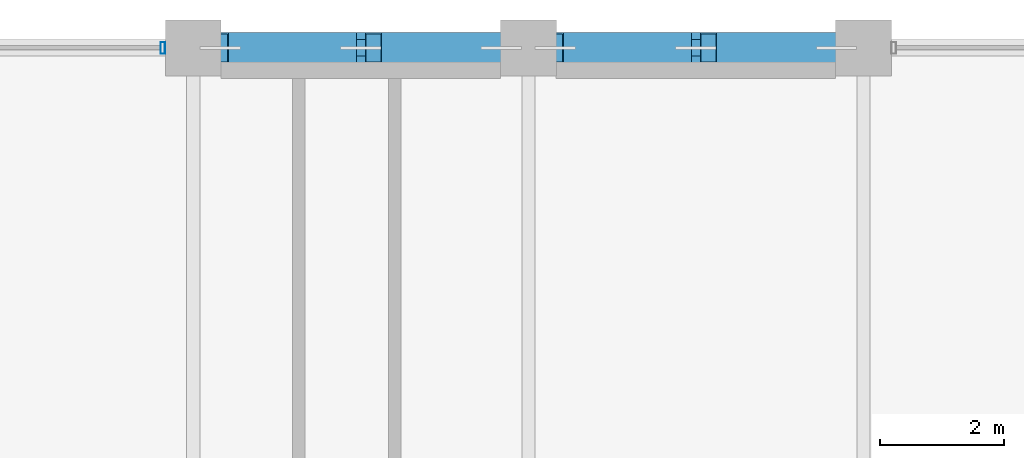
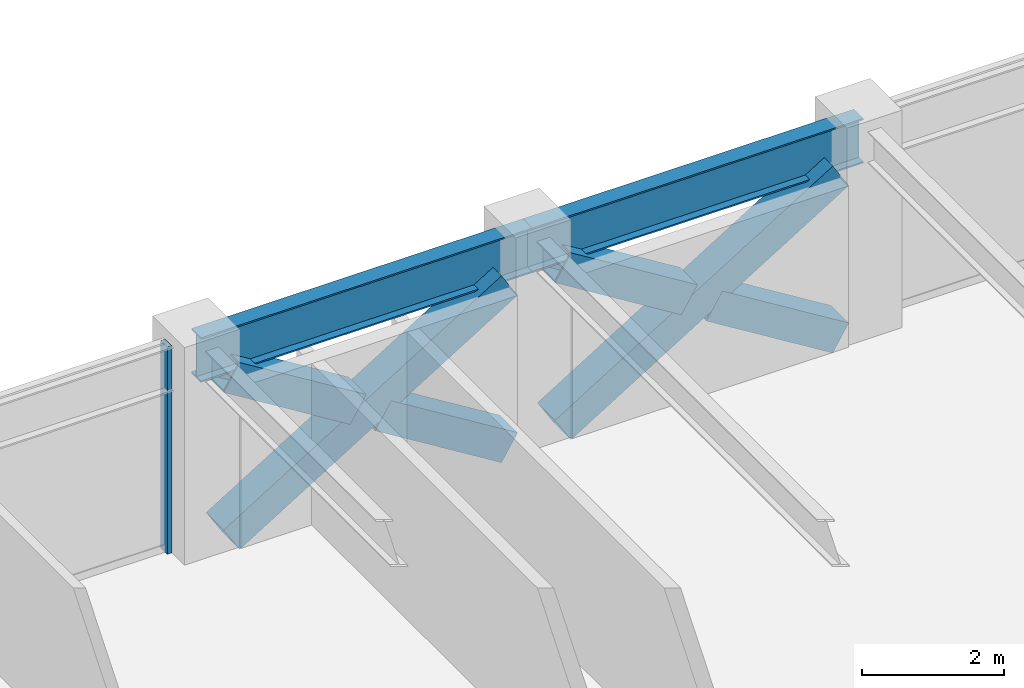
# One storey, part 21 of 32: 7 members, 2 beams, 1 element without a shape of its own.
"""IFC4 building model written with IfcOpenShell, lengths in metres."""

from ifc_helpers import new_model, si_unit, direction, frame, origin, origin_2d, place, context, subcontext, project, spatial, hollow_rectangle, i_section, extrude, material, layer, layer_set, material_profile, profile_set, type_object, element, aggregate, save


model = new_model("IFC4")

# Units and contexts
model_context = context("Model", 3, precision=1e-05, world=origin(), true_north=direction((0.0, 1.0)))
body_context = subcontext(model_context, "Body", "Model", "MODEL_VIEW")
ifc_project = project(units=[si_unit("LENGTHUNIT", "METRE"), si_unit("AREAUNIT", "SQUARE_METRE"), si_unit("VOLUMEUNIT", "CUBIC_METRE"), si_unit("PLANEANGLEUNIT", "RADIAN"), si_unit("MASSUNIT", "GRAM", prefix="KILO")], contexts=[model_context])

# Site, building, storey
site_placement = place(None, origin())
site = spatial("IfcSite", under=ifc_project, at=site_placement, CompositionType="ELEMENT")
building_placement = place(site_placement, origin())
building = spatial("IfcBuilding", under=site, at=building_placement, Name="Surkhivell Harbour Commons", CompositionType="ELEMENT")
storey_placement = place(building_placement, frame((0.0, 0.0, 208.5)))
storey = spatial("IfcBuildingStorey", under=building, at=storey_placement, Name="L54", CompositionType="ELEMENT", Elevation=208.5)

# Beams
ifc_material_1 = material(Name="Steel S355", Category="steel")
ifc_material_profile_1 = material_profile(ifc_material_1, i_section(OverallWidth=0.26806640625, OverallDepth=0.77001953125, WebThickness=0.015625, FlangeThickness=0.025390625, at=origin_2d()), Name="UB762x267x197")
ifc_profile_set_1 = profile_set([ifc_material_profile_1], Name="Steel S355")
beam_type = type_object("IfcBeamType", Name="BM-SPN-762", PredefinedType="SPANDREL", material=ifc_profile_set_1)
for number, where, z_axis, x_axis, name in (
    (1, (-5.39990234375, 25.89990234375, 3.18505859375), (1.0, 0.0, 0.0), (0.0, 1.0, 0.0), "L54 Tube Spandrel (-5.4,25.9)"),
    (2, (0.0, 25.89990234375, 3.18505859375), (1.0, 0.0, 0.0), (0.0, 1.0, 0.0), "L54 Tube Spandrel (-0.0,25.9)"),
):
    element("IfcBeam", number, at=place(storey_placement, frame(where, z_axis=z_axis, x_axis=x_axis)), inside=storey, type_object=beam_type, Name=name, PredefinedType="SPANDREL", context=body_context, shape_type="SweptSolid", body=[
        extrude(i_section(OverallWidth=0.26806640625, OverallDepth=0.77001953125, WebThickness=0.015625, FlangeThickness=0.025390625, at=origin_2d()), origin(), (0.0, 0.0, 1.0), 5.39990234375),
    ])

# Curtain wall, member
ifc_material_2 = material(Name="Anodised pale-metal aluminium and insulated glazing", Category="aluminium")
ifc_layer = layer(ifc_material_2, 0.18994140625)
ifc_layer_set = layer_set([ifc_layer], Name="Anodised pale-metal aluminium and insulated glazing")
curtain_wall_type = type_object("IfcCurtainWallType", Name="CW-SYS-Z3", PredefinedType="NOTDEFINED", material=ifc_layer_set)
curtain_wall_placement = place(storey_placement, origin())
curtain_wall = element("IfcCurtainWall", 3, at=curtain_wall_placement, inside=storey, type_object=curtain_wall_type, Name="L54 Curtain Wall CW-L54-E07S2", PredefinedType="NOTDEFINED")
ifc_material_3 = material(Name="Anodised pale-metal aluminium alloy 6063-T6", Category="aluminium")
ifc_material_profile_2 = material_profile(ifc_material_3, hollow_rectangle(XDim=0.074951171875, YDim=0.18994140625, WallThickness=0.00390625, at=origin_2d()), Name="ALU-MULL-75x190")
ifc_profile_set_2 = profile_set([ifc_material_profile_2], Name="Anodised pale-metal aluminium alloy 6063-T6")
member_type_1 = type_object("IfcMemberType", Name="CWM-190", PredefinedType="MULLION", material=ifc_profile_set_2)
member_1_placement = place(storey_placement, frame((-5.889404296875, 25.89990234375, 0.0), z_axis=(0.0, 0.0, 1.0), x_axis=(-1.0, 0.0, 0.0)))
member_1 = element("IfcMember", 4, at=member_1_placement, type_object=member_type_1, Name="CW-Z3 mullion 1", PredefinedType="MULLION", context=body_context, shape_type="SweptSolid", body=[
    extrude(hollow_rectangle(XDim=0.074951171875, YDim=0.18994140625, WallThickness=0.00390625, at=origin_2d()), origin(), (0.0, 0.0, 1.0), 3.570068359375),
])
aggregate(curtain_wall, [member_1])

# Members
ifc_material_4 = material(Name="Steel S460", Category="steel")
ifc_material_profile_3 = material_profile(ifc_material_4, hollow_rectangle(XDim=0.5, YDim=0.5, WallThickness=0.02490234375, at=origin_2d()), Name="SHS500x500x25")
ifc_profile_set_3 = profile_set([ifc_material_profile_3], Name="Steel S460")
member_type_2 = type_object("IfcMemberType", Name="MEM-BRC-SHS500", PredefinedType="BRACE", material=ifc_profile_set_3)
member_2_placement = place(storey_placement, frame((-4.965087890625, 25.89990234375, 0.008056640625), z_axis=(0.850971032488, 0.0, 0.525212625387), x_axis=(0.0, 1.0, 0.0)))
element("IfcMember", 5, at=member_2_placement, inside=storey, type_object=member_type_2, Name="L54 Perimeter Mega-Brace MB- 01", PredefinedType="BRACE", context=body_context, shape_type="SweptSolid", body=[
    extrude(hollow_rectangle(XDim=0.5, YDim=0.5, WallThickness=0.02490234375, at=origin_2d()), origin(), (0.0, 0.0, 1.0), 5.323486328125),
])
for number, where, z_axis, x_axis, name in (
    (6, (-0.43505859375, 25.89990234375, 0.008056640625), (-0.8510034189, 0.0, 0.525160147974), (0.0, -1.0, 0.0), "L54 Perimeter Mega-Brace MB- 02"),
    (7, (-2.904296875, 25.89990234375, 1.531982421875), (-0.850958361341, 0.0, 0.525233155146), (0.0, -1.0, 0.0), "L54 Perimeter Mega-Brace MB- 03"),
):
    element("IfcMember", number, at=place(storey_placement, frame(where, z_axis=z_axis, x_axis=x_axis)), inside=storey, type_object=member_type_2, Name=name, PredefinedType="BRACE", context=body_context, shape_type="SweptSolid", body=[
        extrude(hollow_rectangle(XDim=0.5, YDim=0.5, WallThickness=0.02490234375, at=origin_2d()), origin(), (0.0, 0.0, 1.0), 2.421630859375),
    ])
member_3_placement = place(storey_placement, frame((0.43505859375, 25.89990234375, 0.008056640625), z_axis=(0.850971032488, 0.0, 0.525212625387), x_axis=(0.0, 1.0, 0.0)))
element("IfcMember", 8, at=member_3_placement, inside=storey, type_object=member_type_2, Name="L54 Perimeter Mega-Brace MB- 04", PredefinedType="BRACE", context=body_context, shape_type="SweptSolid", body=[
    extrude(hollow_rectangle(XDim=0.5, YDim=0.5, WallThickness=0.02490234375, at=origin_2d()), origin(), (0.0, 0.0, 1.0), 5.323486328125),
])
for number, where, z_axis, x_axis, name in (
    (9, (4.965087890625, 25.89990234375, 0.008056640625), (-0.8510034189, 0.0, 0.525160147974), (0.0, -1.0, 0.0), "L54 Perimeter Mega-Brace MB- 05"),
    (10, (2.495849609375, 25.89990234375, 1.531982421875), (-0.850958361341, 0.0, 0.525233155146), (0.0, -1.0, 0.0), "L54 Perimeter Mega-Brace MB- 06"),
):
    element("IfcMember", number, at=place(storey_placement, frame(where, z_axis=z_axis, x_axis=x_axis)), inside=storey, type_object=member_type_2, Name=name, PredefinedType="BRACE", context=body_context, shape_type="SweptSolid", body=[
        extrude(hollow_rectangle(XDim=0.5, YDim=0.5, WallThickness=0.02490234375, at=origin_2d()), origin(), (0.0, 0.0, 1.0), 2.421630859375),
    ])

save(model, "model.ifc")
